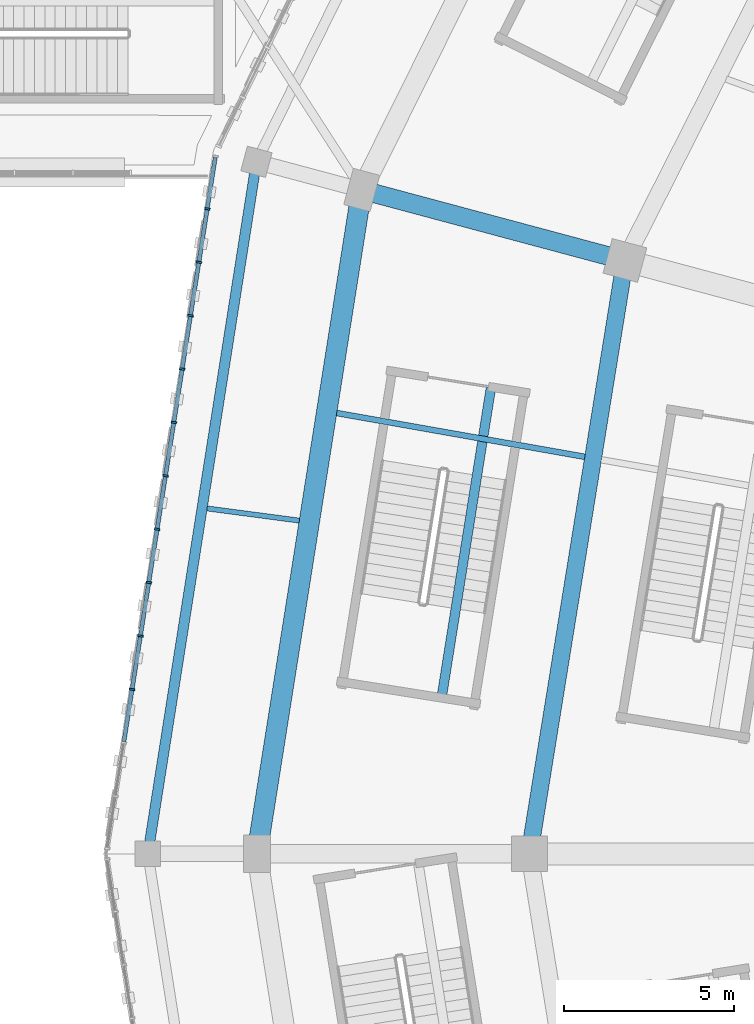
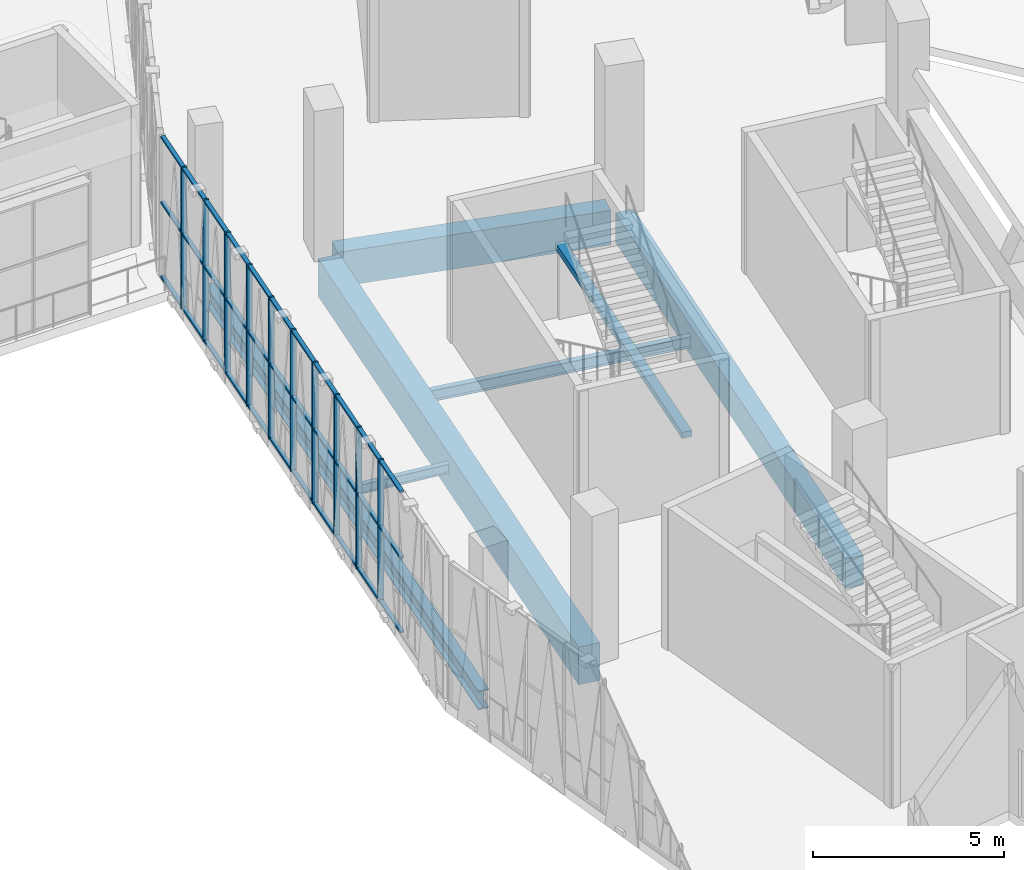
# One storey, part 22 of 183: 43 members, 7 beams, 1 element without a shape of its own.
"""IFC4 building model written with IfcOpenShell, lengths in metres."""

from ifc_helpers import new_model, si_unit, direction, frame, origin, origin_2d, place, context, subcontext, project, spatial, rectangle, i_section, extrude, material, material_profile, profile_set, type_object, element, aggregate, save


model = new_model("IFC4")

# Units and contexts
model_context = context("Model", 3, precision=1e-05, world=origin(), true_north=direction((0.0, 1.0)))
body_context = subcontext(model_context, "Body", "Model", "MODEL_VIEW")
ifc_project = project(units=[si_unit("LENGTHUNIT", "METRE"), si_unit("AREAUNIT", "SQUARE_METRE"), si_unit("VOLUMEUNIT", "CUBIC_METRE"), si_unit("PLANEANGLEUNIT", "RADIAN"), si_unit("MASSUNIT", "GRAM", prefix="KILO")], contexts=[model_context])

# Site, building, storey
site_placement = place(None, origin())
site = spatial("IfcSite", under=ifc_project, at=site_placement, CompositionType="ELEMENT")
building_placement = place(site_placement, origin())
building = spatial("IfcBuilding", under=site, at=building_placement, Name="Zevraka Park Crest Stadium", CompositionType="ELEMENT")
storey_placement = place(building_placement, frame((0.0, 0.0, 5.39990234375)))
storey = spatial("IfcBuildingStorey", under=building, at=storey_placement, Name="L01", CompositionType="ELEMENT", Elevation=5.39990234375)

# Beam
ifc_material_1 = material(Name="Concrete C40/50", Category="concrete")
ifc_material_profile_1 = material_profile(ifc_material_1, rectangle(XDim=0.550048828125, YDim=1.10009765625, at=origin_2d()), Name="RC 1100x550")
ifc_profile_set_1 = profile_set([ifc_material_profile_1], Name="Concrete C40/50")
beam_type_1 = type_object("IfcBeamType", Name="BG02", PredefinedType="BEAM", material=ifc_profile_set_1)
beam_1_placement = place(storey_placement, frame((32.214111328125, 109.4970703125, -0.559814453125), z_axis=(-0.965968812251, 0.258658565986, 0.0), x_axis=(-0.258658565986, -0.965968812251, 0.0)))
element("IfcBeam", 1, at=beam_1_placement, inside=storey, type_object=beam_type_1, Name="Radial Girder BG02 L01-CD-11", PredefinedType="BEAM", context=body_context, shape_type="SweptSolid", body=[
    extrude(rectangle(XDim=0.550048828125, YDim=1.10009765625, at=origin_2d()), origin(), (0.0, 0.0, 1.0), 7.39892578125),
])

# Curtain wall, members
ifc_material_2 = material(Name="Anodised architectural aluminium and laminated safety glass", Category="aluminium")
curtain_wall_type = type_object("IfcCurtainWallType", Name="CW01", PredefinedType="NOTDEFINED", material=ifc_material_2)
curtain_wall_placement = place(storey_placement, origin())
curtain_wall = element("IfcCurtainWall", 2, at=curtain_wall_placement, inside=storey, type_object=curtain_wall_type, Name="Unitised Ring Curtain Wall CW01 L01-11", PredefinedType="NOTDEFINED")
ifc_material_3 = material(Name="Anodised architectural aluminium", Category="aluminium")
ifc_material_profile_2 = material_profile(ifc_material_3, rectangle(XDim=0.159912109375, YDim=0.06005859375, at=origin_2d()), Name="ALU MULLION 160x60")
ifc_profile_set_2 = profile_set([ifc_material_profile_2], Name="Anodised architectural aluminium")
member_type_1 = type_object("IfcMemberType", Name="CM01", PredefinedType="MULLION", material=ifc_profile_set_2)
member_1_placement = place(storey_placement, frame((20.241943359375, 110.935546875, 0.0), z_axis=(0.0, 0.0, 1.0), x_axis=(0.987996544735, -0.154475977394, 0.0)))
member_1 = element("IfcMember", 3, at=member_1_placement, type_object=member_type_1, Name="CW01 mullion 2", PredefinedType="MULLION", context=body_context, shape_type="SweptSolid", body=[
    extrude(rectangle(XDim=0.159912109375, YDim=0.06005859375, at=origin_2d()), origin(), (0.0, 0.0, 1.0), 4.52001953125),
])
member_2_placement = place(storey_placement, frame((19.996826171875, 109.3681640625, 0.0), z_axis=(0.0, 0.0, 1.0), x_axis=(0.987996544735, -0.154475977394, 0.0)))
member_2 = element("IfcMember", 4, at=member_2_placement, type_object=member_type_1, Name="CW01 mullion 3", PredefinedType="MULLION", context=body_context, shape_type="SweptSolid", body=[
    extrude(rectangle(XDim=0.159912109375, YDim=0.06005859375, at=origin_2d()), origin(), (0.0, 0.0, 1.0), 4.52001953125),
])
member_3_placement = place(storey_placement, frame((19.751708984375, 107.800537109375, 0.0), z_axis=(0.0, 0.0, 1.0), x_axis=(0.987996544735, -0.154475977394, 0.0)))
member_3 = element("IfcMember", 5, at=member_3_placement, type_object=member_type_1, Name="CW01 mullion 4", PredefinedType="MULLION", context=body_context, shape_type="SweptSolid", body=[
    extrude(rectangle(XDim=0.159912109375, YDim=0.06005859375, at=origin_2d()), origin(), (0.0, 0.0, 1.0), 4.52001953125),
])
member_4_placement = place(storey_placement, frame((19.506591796875, 106.233154296875, 0.0), z_axis=(0.0, 0.0, 1.0), x_axis=(0.987996544735, -0.154475977394, 0.0)))
member_4 = element("IfcMember", 6, at=member_4_placement, type_object=member_type_1, Name="CW01 mullion 5", PredefinedType="MULLION", context=body_context, shape_type="SweptSolid", body=[
    extrude(rectangle(XDim=0.159912109375, YDim=0.06005859375, at=origin_2d()), origin(), (0.0, 0.0, 1.0), 4.52001953125),
])
member_5_placement = place(storey_placement, frame((19.26171875, 104.665771484375, 0.0), z_axis=(0.0, 0.0, 1.0), x_axis=(0.987996544735, -0.154475977394, 0.0)))
member_5 = element("IfcMember", 7, at=member_5_placement, type_object=member_type_1, Name="CW01 mullion 6", PredefinedType="MULLION", context=body_context, shape_type="SweptSolid", body=[
    extrude(rectangle(XDim=0.159912109375, YDim=0.06005859375, at=origin_2d()), origin(), (0.0, 0.0, 1.0), 4.52001953125),
])
member_6_placement = place(storey_placement, frame((19.0166015625, 103.09814453125, 0.0), z_axis=(0.0, 0.0, 1.0), x_axis=(0.987996544735, -0.154475977394, 0.0)))
member_6 = element("IfcMember", 8, at=member_6_placement, type_object=member_type_1, Name="CW01 mullion 7", PredefinedType="MULLION", context=body_context, shape_type="SweptSolid", body=[
    extrude(rectangle(XDim=0.159912109375, YDim=0.06005859375, at=origin_2d()), origin(), (0.0, 0.0, 1.0), 4.52001953125),
])
member_7_placement = place(storey_placement, frame((18.771484375, 101.53076171875, 0.0), z_axis=(0.0, 0.0, 1.0), x_axis=(0.987996544735, -0.154475977394, 0.0)))
member_7 = element("IfcMember", 9, at=member_7_placement, type_object=member_type_1, Name="CW01 mullion 8", PredefinedType="MULLION", context=body_context, shape_type="SweptSolid", body=[
    extrude(rectangle(XDim=0.159912109375, YDim=0.06005859375, at=origin_2d()), origin(), (0.0, 0.0, 1.0), 4.52001953125),
])
member_8_placement = place(storey_placement, frame((18.5263671875, 99.96337890625, 0.0), z_axis=(0.0, 0.0, 1.0), x_axis=(0.987996544735, -0.154475977394, 0.0)))
member_8 = element("IfcMember", 10, at=member_8_placement, type_object=member_type_1, Name="CW01 mullion 9", PredefinedType="MULLION", context=body_context, shape_type="SweptSolid", body=[
    extrude(rectangle(XDim=0.159912109375, YDim=0.06005859375, at=origin_2d()), origin(), (0.0, 0.0, 1.0), 4.52001953125),
])
member_9_placement = place(storey_placement, frame((18.28125, 98.395751953125, 0.0), z_axis=(0.0, 0.0, 1.0), x_axis=(0.987996544735, -0.154475977394, 0.0)))
member_9 = element("IfcMember", 11, at=member_9_placement, type_object=member_type_1, Name="CW01 mullion 10", PredefinedType="MULLION", context=body_context, shape_type="SweptSolid", body=[
    extrude(rectangle(XDim=0.159912109375, YDim=0.06005859375, at=origin_2d()), origin(), (0.0, 0.0, 1.0), 4.52001953125),
])
member_10_placement = place(storey_placement, frame((18.0361328125, 96.828369140625, 0.0), z_axis=(0.0, 0.0, 1.0), x_axis=(0.987996544735, -0.154475977394, 0.0)))
member_10 = element("IfcMember", 12, at=member_10_placement, type_object=member_type_1, Name="CW01 mullion 11", PredefinedType="MULLION", context=body_context, shape_type="SweptSolid", body=[
    extrude(rectangle(XDim=0.159912109375, YDim=0.06005859375, at=origin_2d()), origin(), (0.0, 0.0, 1.0), 4.52001953125),
])
ifc_material_4 = material(Name="Anodised architectural aluminium", Category="aluminium")
ifc_material_profile_3 = material_profile(ifc_material_4, rectangle(XDim=0.1201171875, YDim=0.06005859375, at=origin_2d()), Name="ALU TRANSOM 120x60")
ifc_profile_set_3 = profile_set([ifc_material_profile_3], Name="Anodised architectural aluminium")
member_type_2 = type_object("IfcMemberType", Name="CT01", PredefinedType="USERDEFINED", material=ifc_profile_set_3)
member_11_placement = place(storey_placement, frame((20.477783203125, 112.443603515625, 0.030029296875), z_axis=(-0.154496320273, -0.987993363855, 0.0), x_axis=(0.987993363855, -0.154496320273, 0.0)))
member_11 = element("IfcMember", 13, at=member_11_placement, type_object=member_type_2, Name="CW01 transom 1.1", ObjectType="TRANSOM", PredefinedType="USERDEFINED", context=body_context, shape_type="SweptSolid", body=[
    extrude(rectangle(XDim=0.1201171875, YDim=0.06005859375, at=origin_2d()), origin(), (0.0, 0.0, 1.0), 1.49658203125),
])
member_12_placement = place(storey_placement, frame((20.477783203125, 112.443603515625, 2.400146484375), z_axis=(-0.154496320273, -0.987993363855, 0.0), x_axis=(0.987993363855, -0.154496320273, 0.0)))
member_12 = element("IfcMember", 14, at=member_12_placement, type_object=member_type_2, Name="CW01 transom 1.2", ObjectType="TRANSOM", PredefinedType="USERDEFINED", context=body_context, shape_type="SweptSolid", body=[
    extrude(rectangle(XDim=0.1201171875, YDim=0.06005859375, at=origin_2d()), origin(), (0.0, 0.0, 1.0), 1.49658203125),
])
member_13_placement = place(storey_placement, frame((20.477783203125, 112.443603515625, 4.489990234375), z_axis=(-0.154496320273, -0.987993363855, 0.0), x_axis=(0.987993363855, -0.154496320273, 0.0)))
member_13 = element("IfcMember", 15, at=member_13_placement, type_object=member_type_2, Name="CW01 transom 1.3", ObjectType="TRANSOM", PredefinedType="USERDEFINED", context=body_context, shape_type="SweptSolid", body=[
    extrude(rectangle(XDim=0.1201171875, YDim=0.06005859375, at=origin_2d()), origin(), (0.0, 0.0, 1.0), 1.49658203125),
])
member_14_placement = place(storey_placement, frame((20.2373046875, 110.906005859375, 0.030029296875), z_axis=(-0.154484205161, -0.987995258266, 0.0), x_axis=(0.987995258266, -0.154484205161, 0.0)))
member_14 = element("IfcMember", 16, at=member_14_placement, type_object=member_type_2, Name="CW01 transom 2.1", ObjectType="TRANSOM", PredefinedType="USERDEFINED", context=body_context, shape_type="SweptSolid", body=[
    extrude(rectangle(XDim=0.1201171875, YDim=0.06005859375, at=origin_2d()), origin(), (0.0, 0.0, 1.0), 1.526611328125),
])
member_15_placement = place(storey_placement, frame((20.2373046875, 110.906005859375, 2.400146484375), z_axis=(-0.154484205161, -0.987995258266, 0.0), x_axis=(0.987995258266, -0.154484205161, 0.0)))
member_15 = element("IfcMember", 17, at=member_15_placement, type_object=member_type_2, Name="CW01 transom 2.2", ObjectType="TRANSOM", PredefinedType="USERDEFINED", context=body_context, shape_type="SweptSolid", body=[
    extrude(rectangle(XDim=0.1201171875, YDim=0.06005859375, at=origin_2d()), origin(), (0.0, 0.0, 1.0), 1.526611328125),
])
member_16_placement = place(storey_placement, frame((20.2373046875, 110.906005859375, 4.489990234375), z_axis=(-0.154484205161, -0.987995258266, 0.0), x_axis=(0.987995258266, -0.154484205161, 0.0)))
member_16 = element("IfcMember", 18, at=member_16_placement, type_object=member_type_2, Name="CW01 transom 2.3", ObjectType="TRANSOM", PredefinedType="USERDEFINED", context=body_context, shape_type="SweptSolid", body=[
    extrude(rectangle(XDim=0.1201171875, YDim=0.06005859375, at=origin_2d()), origin(), (0.0, 0.0, 1.0), 1.526611328125),
])
member_17_placement = place(storey_placement, frame((19.9921875, 109.33837890625, 0.030029296875), z_axis=(-0.154508617741, -0.987991440774, 0.0), x_axis=(0.987991440774, -0.154508617741, 0.0)))
member_17 = element("IfcMember", 19, at=member_17_placement, type_object=member_type_2, Name="CW01 transom 3.1", ObjectType="TRANSOM", PredefinedType="USERDEFINED", context=body_context, shape_type="SweptSolid", body=[
    extrude(rectangle(XDim=0.1201171875, YDim=0.06005859375, at=origin_2d()), origin(), (0.0, 0.0, 1.0), 1.5263671875),
])
member_18_placement = place(storey_placement, frame((19.9921875, 109.33837890625, 2.400146484375), z_axis=(-0.154508617741, -0.987991440774, 0.0), x_axis=(0.987991440774, -0.154508617741, 0.0)))
member_18 = element("IfcMember", 20, at=member_18_placement, type_object=member_type_2, Name="CW01 transom 3.2", ObjectType="TRANSOM", PredefinedType="USERDEFINED", context=body_context, shape_type="SweptSolid", body=[
    extrude(rectangle(XDim=0.1201171875, YDim=0.06005859375, at=origin_2d()), origin(), (0.0, 0.0, 1.0), 1.5263671875),
])
member_19_placement = place(storey_placement, frame((19.9921875, 109.33837890625, 4.489990234375), z_axis=(-0.154508617741, -0.987991440774, 0.0), x_axis=(0.987991440774, -0.154508617741, 0.0)))
member_19 = element("IfcMember", 21, at=member_19_placement, type_object=member_type_2, Name="CW01 transom 3.3", ObjectType="TRANSOM", PredefinedType="USERDEFINED", context=body_context, shape_type="SweptSolid", body=[
    extrude(rectangle(XDim=0.1201171875, YDim=0.06005859375, at=origin_2d()), origin(), (0.0, 0.0, 1.0), 1.5263671875),
])
member_20_placement = place(storey_placement, frame((19.7470703125, 107.77099609375, 0.030029296875), z_axis=(-0.154484205161, -0.987995258266, 0.0), x_axis=(0.987995258266, -0.154484205161, 0.0)))
member_20 = element("IfcMember", 22, at=member_20_placement, type_object=member_type_2, Name="CW01 transom 4.1", ObjectType="TRANSOM", PredefinedType="USERDEFINED", context=body_context, shape_type="SweptSolid", body=[
    extrude(rectangle(XDim=0.1201171875, YDim=0.06005859375, at=origin_2d()), origin(), (0.0, 0.0, 1.0), 1.526611328125),
])
member_21_placement = place(storey_placement, frame((19.7470703125, 107.77099609375, 2.400146484375), z_axis=(-0.154484205161, -0.987995258266, 0.0), x_axis=(0.987995258266, -0.154484205161, 0.0)))
member_21 = element("IfcMember", 23, at=member_21_placement, type_object=member_type_2, Name="CW01 transom 4.2", ObjectType="TRANSOM", PredefinedType="USERDEFINED", context=body_context, shape_type="SweptSolid", body=[
    extrude(rectangle(XDim=0.1201171875, YDim=0.06005859375, at=origin_2d()), origin(), (0.0, 0.0, 1.0), 1.526611328125),
])
member_22_placement = place(storey_placement, frame((19.7470703125, 107.77099609375, 4.489990234375), z_axis=(-0.154484205161, -0.987995258266, 0.0), x_axis=(0.987995258266, -0.154484205161, 0.0)))
member_22 = element("IfcMember", 24, at=member_22_placement, type_object=member_type_2, Name="CW01 transom 4.3", ObjectType="TRANSOM", PredefinedType="USERDEFINED", context=body_context, shape_type="SweptSolid", body=[
    extrude(rectangle(XDim=0.1201171875, YDim=0.06005859375, at=origin_2d()), origin(), (0.0, 0.0, 1.0), 1.526611328125),
])
member_23_placement = place(storey_placement, frame((19.501953125, 106.20361328125, 0.030029296875), z_axis=(-0.154328094427, -0.988019655306, 0.0), x_axis=(0.988019655306, -0.154328094427, 0.0)))
member_23 = element("IfcMember", 25, at=member_23_placement, type_object=member_type_2, Name="CW01 transom 5.1", ObjectType="TRANSOM", PredefinedType="USERDEFINED", context=body_context, shape_type="SweptSolid", body=[
    extrude(rectangle(XDim=0.1201171875, YDim=0.06005859375, at=origin_2d()), origin(), (0.0, 0.0, 1.0), 1.526611328125),
])
member_24_placement = place(storey_placement, frame((19.501953125, 106.20361328125, 2.400146484375), z_axis=(-0.154328094427, -0.988019655306, 0.0), x_axis=(0.988019655306, -0.154328094427, 0.0)))
member_24 = element("IfcMember", 26, at=member_24_placement, type_object=member_type_2, Name="CW01 transom 5.2", ObjectType="TRANSOM", PredefinedType="USERDEFINED", context=body_context, shape_type="SweptSolid", body=[
    extrude(rectangle(XDim=0.1201171875, YDim=0.06005859375, at=origin_2d()), origin(), (0.0, 0.0, 1.0), 1.526611328125),
])
member_25_placement = place(storey_placement, frame((19.501953125, 106.20361328125, 4.489990234375), z_axis=(-0.154328094427, -0.988019655306, 0.0), x_axis=(0.988019655306, -0.154328094427, 0.0)))
member_25 = element("IfcMember", 27, at=member_25_placement, type_object=member_type_2, Name="CW01 transom 5.3", ObjectType="TRANSOM", PredefinedType="USERDEFINED", context=body_context, shape_type="SweptSolid", body=[
    extrude(rectangle(XDim=0.1201171875, YDim=0.06005859375, at=origin_2d()), origin(), (0.0, 0.0, 1.0), 1.526611328125),
])
member_26_placement = place(storey_placement, frame((19.257080078125, 104.635986328125, 0.030029296875), z_axis=(-0.154508617741, -0.987991440774, 0.0), x_axis=(0.987991440774, -0.154508617741, 0.0)))
member_26 = element("IfcMember", 28, at=member_26_placement, type_object=member_type_2, Name="CW01 transom 6.1", ObjectType="TRANSOM", PredefinedType="USERDEFINED", context=body_context, shape_type="SweptSolid", body=[
    extrude(rectangle(XDim=0.1201171875, YDim=0.06005859375, at=origin_2d()), origin(), (0.0, 0.0, 1.0), 1.5263671875),
])
member_27_placement = place(storey_placement, frame((19.257080078125, 104.635986328125, 2.400146484375), z_axis=(-0.154508617741, -0.987991440774, 0.0), x_axis=(0.987991440774, -0.154508617741, 0.0)))
member_27 = element("IfcMember", 29, at=member_27_placement, type_object=member_type_2, Name="CW01 transom 6.2", ObjectType="TRANSOM", PredefinedType="USERDEFINED", context=body_context, shape_type="SweptSolid", body=[
    extrude(rectangle(XDim=0.1201171875, YDim=0.06005859375, at=origin_2d()), origin(), (0.0, 0.0, 1.0), 1.5263671875),
])
member_28_placement = place(storey_placement, frame((19.257080078125, 104.635986328125, 4.489990234375), z_axis=(-0.154508617741, -0.987991440774, 0.0), x_axis=(0.987991440774, -0.154508617741, 0.0)))
member_28 = element("IfcMember", 30, at=member_28_placement, type_object=member_type_2, Name="CW01 transom 6.3", ObjectType="TRANSOM", PredefinedType="USERDEFINED", context=body_context, shape_type="SweptSolid", body=[
    extrude(rectangle(XDim=0.1201171875, YDim=0.06005859375, at=origin_2d()), origin(), (0.0, 0.0, 1.0), 1.5263671875),
])
member_29_placement = place(storey_placement, frame((19.011962890625, 103.068603515625, 0.030029296875), z_axis=(-0.154484205161, -0.987995258266, 0.0), x_axis=(0.987995258266, -0.154484205161, 0.0)))
member_29 = element("IfcMember", 31, at=member_29_placement, type_object=member_type_2, Name="CW01 transom 7.1", ObjectType="TRANSOM", PredefinedType="USERDEFINED", context=body_context, shape_type="SweptSolid", body=[
    extrude(rectangle(XDim=0.1201171875, YDim=0.06005859375, at=origin_2d()), origin(), (0.0, 0.0, 1.0), 1.526611328125),
])
member_30_placement = place(storey_placement, frame((19.011962890625, 103.068603515625, 2.400146484375), z_axis=(-0.154484205161, -0.987995258266, 0.0), x_axis=(0.987995258266, -0.154484205161, 0.0)))
member_30 = element("IfcMember", 32, at=member_30_placement, type_object=member_type_2, Name="CW01 transom 7.2", ObjectType="TRANSOM", PredefinedType="USERDEFINED", context=body_context, shape_type="SweptSolid", body=[
    extrude(rectangle(XDim=0.1201171875, YDim=0.06005859375, at=origin_2d()), origin(), (0.0, 0.0, 1.0), 1.526611328125),
])
member_31_placement = place(storey_placement, frame((19.011962890625, 103.068603515625, 4.489990234375), z_axis=(-0.154484205161, -0.987995258266, 0.0), x_axis=(0.987995258266, -0.154484205161, 0.0)))
member_31 = element("IfcMember", 33, at=member_31_placement, type_object=member_type_2, Name="CW01 transom 7.3", ObjectType="TRANSOM", PredefinedType="USERDEFINED", context=body_context, shape_type="SweptSolid", body=[
    extrude(rectangle(XDim=0.1201171875, YDim=0.06005859375, at=origin_2d()), origin(), (0.0, 0.0, 1.0), 1.526611328125),
])
member_32_placement = place(storey_placement, frame((18.766845703125, 101.501220703125, 0.030029296875), z_axis=(-0.154484205161, -0.987995258266, 0.0), x_axis=(0.987995258266, -0.154484205161, 0.0)))
member_32 = element("IfcMember", 34, at=member_32_placement, type_object=member_type_2, Name="CW01 transom 8.1", ObjectType="TRANSOM", PredefinedType="USERDEFINED", context=body_context, shape_type="SweptSolid", body=[
    extrude(rectangle(XDim=0.1201171875, YDim=0.06005859375, at=origin_2d()), origin(), (0.0, 0.0, 1.0), 1.526611328125),
])
member_33_placement = place(storey_placement, frame((18.766845703125, 101.501220703125, 2.400146484375), z_axis=(-0.154484205161, -0.987995258266, 0.0), x_axis=(0.987995258266, -0.154484205161, 0.0)))
member_33 = element("IfcMember", 35, at=member_33_placement, type_object=member_type_2, Name="CW01 transom 8.2", ObjectType="TRANSOM", PredefinedType="USERDEFINED", context=body_context, shape_type="SweptSolid", body=[
    extrude(rectangle(XDim=0.1201171875, YDim=0.06005859375, at=origin_2d()), origin(), (0.0, 0.0, 1.0), 1.526611328125),
])
member_34_placement = place(storey_placement, frame((18.766845703125, 101.501220703125, 4.489990234375), z_axis=(-0.154484205161, -0.987995258266, 0.0), x_axis=(0.987995258266, -0.154484205161, 0.0)))
member_34 = element("IfcMember", 36, at=member_34_placement, type_object=member_type_2, Name="CW01 transom 8.3", ObjectType="TRANSOM", PredefinedType="USERDEFINED", context=body_context, shape_type="SweptSolid", body=[
    extrude(rectangle(XDim=0.1201171875, YDim=0.06005859375, at=origin_2d()), origin(), (0.0, 0.0, 1.0), 1.526611328125),
])
member_35_placement = place(storey_placement, frame((18.521728515625, 99.93359375, 0.030029296875), z_axis=(-0.154508617741, -0.987991440774, 0.0), x_axis=(0.987991440774, -0.154508617741, 0.0)))
member_35 = element("IfcMember", 37, at=member_35_placement, type_object=member_type_2, Name="CW01 transom 9.1", ObjectType="TRANSOM", PredefinedType="USERDEFINED", context=body_context, shape_type="SweptSolid", body=[
    extrude(rectangle(XDim=0.1201171875, YDim=0.06005859375, at=origin_2d()), origin(), (0.0, 0.0, 1.0), 1.5263671875),
])
member_36_placement = place(storey_placement, frame((18.521728515625, 99.93359375, 2.400146484375), z_axis=(-0.154508617741, -0.987991440774, 0.0), x_axis=(0.987991440774, -0.154508617741, 0.0)))
member_36 = element("IfcMember", 38, at=member_36_placement, type_object=member_type_2, Name="CW01 transom 9.2", ObjectType="TRANSOM", PredefinedType="USERDEFINED", context=body_context, shape_type="SweptSolid", body=[
    extrude(rectangle(XDim=0.1201171875, YDim=0.06005859375, at=origin_2d()), origin(), (0.0, 0.0, 1.0), 1.5263671875),
])
member_37_placement = place(storey_placement, frame((18.521728515625, 99.93359375, 4.489990234375), z_axis=(-0.154508617741, -0.987991440774, 0.0), x_axis=(0.987991440774, -0.154508617741, 0.0)))
member_37 = element("IfcMember", 39, at=member_37_placement, type_object=member_type_2, Name="CW01 transom 9.3", ObjectType="TRANSOM", PredefinedType="USERDEFINED", context=body_context, shape_type="SweptSolid", body=[
    extrude(rectangle(XDim=0.1201171875, YDim=0.06005859375, at=origin_2d()), origin(), (0.0, 0.0, 1.0), 1.5263671875),
])
member_38_placement = place(storey_placement, frame((18.276611328125, 98.3662109375, 0.030029296875), z_axis=(-0.154484205161, -0.987995258266, 0.0), x_axis=(0.987995258266, -0.154484205161, 0.0)))
member_38 = element("IfcMember", 40, at=member_38_placement, type_object=member_type_2, Name="CW01 transom 10.1", ObjectType="TRANSOM", PredefinedType="USERDEFINED", context=body_context, shape_type="SweptSolid", body=[
    extrude(rectangle(XDim=0.1201171875, YDim=0.06005859375, at=origin_2d()), origin(), (0.0, 0.0, 1.0), 1.526611328125),
])
member_39_placement = place(storey_placement, frame((18.276611328125, 98.3662109375, 2.400146484375), z_axis=(-0.154484205161, -0.987995258266, 0.0), x_axis=(0.987995258266, -0.154484205161, 0.0)))
member_39 = element("IfcMember", 41, at=member_39_placement, type_object=member_type_2, Name="CW01 transom 10.2", ObjectType="TRANSOM", PredefinedType="USERDEFINED", context=body_context, shape_type="SweptSolid", body=[
    extrude(rectangle(XDim=0.1201171875, YDim=0.06005859375, at=origin_2d()), origin(), (0.0, 0.0, 1.0), 1.526611328125),
])
member_40_placement = place(storey_placement, frame((18.276611328125, 98.3662109375, 4.489990234375), z_axis=(-0.154484205161, -0.987995258266, 0.0), x_axis=(0.987995258266, -0.154484205161, 0.0)))
member_40 = element("IfcMember", 42, at=member_40_placement, type_object=member_type_2, Name="CW01 transom 10.3", ObjectType="TRANSOM", PredefinedType="USERDEFINED", context=body_context, shape_type="SweptSolid", body=[
    extrude(rectangle(XDim=0.1201171875, YDim=0.06005859375, at=origin_2d()), origin(), (0.0, 0.0, 1.0), 1.526611328125),
])
member_41_placement = place(storey_placement, frame((18.031494140625, 96.798828125, 0.030029296875), z_axis=(-0.154328094427, -0.988019655306, 0.0), x_axis=(0.988019655306, -0.154328094427, 0.0)))
member_41 = element("IfcMember", 43, at=member_41_placement, type_object=member_type_2, Name="CW01 transom 11.1", ObjectType="TRANSOM", PredefinedType="USERDEFINED", context=body_context, shape_type="SweptSolid", body=[
    extrude(rectangle(XDim=0.1201171875, YDim=0.06005859375, at=origin_2d()), origin(), (0.0, 0.0, 1.0), 1.526611328125),
])
member_42_placement = place(storey_placement, frame((18.031494140625, 96.798828125, 2.400146484375), z_axis=(-0.154328094427, -0.988019655306, 0.0), x_axis=(0.988019655306, -0.154328094427, 0.0)))
member_42 = element("IfcMember", 44, at=member_42_placement, type_object=member_type_2, Name="CW01 transom 11.2", ObjectType="TRANSOM", PredefinedType="USERDEFINED", context=body_context, shape_type="SweptSolid", body=[
    extrude(rectangle(XDim=0.1201171875, YDim=0.06005859375, at=origin_2d()), origin(), (0.0, 0.0, 1.0), 1.526611328125),
])
member_43_placement = place(storey_placement, frame((18.031494140625, 96.798828125, 4.489990234375), z_axis=(-0.154328094427, -0.988019655306, 0.0), x_axis=(0.988019655306, -0.154328094427, 0.0)))
member_43 = element("IfcMember", 45, at=member_43_placement, type_object=member_type_2, Name="CW01 transom 11.3", ObjectType="TRANSOM", PredefinedType="USERDEFINED", context=body_context, shape_type="SweptSolid", body=[
    extrude(rectangle(XDim=0.1201171875, YDim=0.06005859375, at=origin_2d()), origin(), (0.0, 0.0, 1.0), 1.526611328125),
])
aggregate(curtain_wall, [member_1, member_2, member_3, member_4, member_5, member_6, member_7, member_8, member_9, member_10, member_11, member_12, member_13, member_14, member_15, member_16, member_17, member_18, member_19, member_20, member_21, member_22, member_23, member_24, member_25, member_26, member_27, member_28, member_29, member_30, member_31, member_32, member_33, member_34, member_35, member_36, member_37, member_38, member_39, member_40, member_41, member_42, member_43])

# Beams
ifc_material_5 = material(Name="Concrete C40/50", Category="concrete")
ifc_material_profile_4 = material_profile(ifc_material_5, rectangle(XDim=0.60009765625, YDim=1.199951171875, at=origin_2d()), Name="RC 1200x600")
ifc_profile_set_4 = profile_set([ifc_material_profile_4], Name="Concrete C40/50")
beam_type_2 = type_object("IfcBeamType", Name="RB01", PredefinedType="BEAM", material=ifc_profile_set_4)
beam_2_placement = place(storey_placement, frame((24.718017578125, 111.114013671875, -0.60986328125), z_axis=(-0.155972486086, -0.987761400129, 0.0), x_axis=(0.987761400129, -0.155972486086, 0.0)))
element("IfcBeam", 46, at=beam_2_placement, inside=storey, type_object=beam_type_2, Name="Ring Beam RB01 L01-D-11", PredefinedType="BEAM", context=body_context, shape_type="SweptSolid", body=[
    extrude(rectangle(XDim=0.60009765625, YDim=1.199951171875, at=origin_2d()), origin(), (0.0, 0.0, 1.0), 18.97119140625),
])
ifc_material_6 = material(Name="Concrete C40/50", Category="concrete")
ifc_material_profile_5 = material_profile(ifc_material_6, rectangle(XDim=0.5, YDim=0.949951171875, at=origin_2d()), Name="RC 950x500")
ifc_profile_set_5 = profile_set([ifc_material_profile_5], Name="Concrete C40/50")
beam_type_3 = type_object("IfcBeamType", Name="RB02", PredefinedType="BEAM", material=ifc_profile_set_5)
beam_3_placement = place(storey_placement, frame((32.444091796875, 109.0439453125, -0.48486328125), z_axis=(-0.158975112778, -0.987282590507, 0.0), x_axis=(0.987282590507, -0.158975112778, 0.0)))
element("IfcBeam", 47, at=beam_3_placement, inside=storey, type_object=beam_type_3, Name="Ring Beam RB02 L01-C-11", PredefinedType="BEAM", context=body_context, shape_type="SweptSolid", body=[
    extrude(rectangle(XDim=0.5, YDim=0.949951171875, at=origin_2d()), origin(), (0.0, 0.0, 1.0), 16.883544921875),
])
ifc_material_7 = material(Name="Steel S355", Category="steel")
ifc_material_profile_6 = material_profile(ifc_material_7, i_section(OverallWidth=0.300048828125, OverallDepth=0.60009765625, WebThickness=0.015380859375, FlangeThickness=0.030029296875, at=origin_2d()), Name="HEB 600")
ifc_profile_set_6 = profile_set([ifc_material_profile_6], Name="Steel S355")
beam_type_4 = type_object("IfcBeamType", Name="RB03", PredefinedType="BEAM", material=ifc_profile_set_6)
beam_4_placement = place(storey_placement, frame((21.632080078125, 111.970947265625, -0.60498046875), z_axis=(-0.154952716421, -0.987921887435, 0.0), x_axis=(0.987921887435, -0.154952716421, 0.0)))
element("IfcBeam", 48, at=beam_4_placement, inside=storey, type_object=beam_type_4, Name="Ring Beam RB03 L01-E-11", PredefinedType="BEAM", context=body_context, shape_type="SweptSolid", body=[
    extrude(i_section(OverallWidth=0.300048828125, OverallDepth=0.60009765625, WebThickness=0.015380859375, FlangeThickness=0.030029296875, at=origin_2d()), origin(), (0.0, 0.0, 1.0), 19.864990234375),
])
ifc_material_8 = material(Name="Steel S355", Category="steel")
ifc_material_profile_7 = material_profile(ifc_material_8, i_section(OverallWidth=0.14990234375, OverallDepth=0.300048828125, WebThickness=0.007080078125, FlangeThickness=0.0107421875, at=origin_2d()), Name="IPE 300")
ifc_profile_set_7 = profile_set([ifc_material_profile_7], Name="Steel S355")
beam_type_5 = type_object("IfcBeamType", Name="SJ01", PredefinedType="JOIST", material=ifc_profile_set_7)
beam_5_placement = place(storey_placement, frame((22.946044921875, 101.782958984375, -0.4580078125), z_axis=(-0.991431166896, 0.130630169971, 0.0), x_axis=(-0.130630169971, -0.991431166896, 0.0)))
element("IfcBeam", 49, at=beam_5_placement, inside=storey, type_object=beam_type_5, Name="Floor Joist SJ01 L01-DE-11-1", PredefinedType="JOIST", context=body_context, shape_type="SweptSolid", body=[
    extrude(i_section(OverallWidth=0.14990234375, OverallDepth=0.300048828125, WebThickness=0.007080078125, FlangeThickness=0.0107421875, at=origin_2d()), origin(), (0.0, 0.0, 1.0), 2.732421875),
])
ifc_material_9 = material(Name="Steel S355", Category="steel")
ifc_material_profile_8 = material_profile(ifc_material_9, i_section(OverallWidth=0.169921875, OverallDepth=0.360107421875, WebThickness=0.008056640625, FlangeThickness=0.0126953125, at=origin_2d()), Name="IPE 360")
ifc_profile_set_8 = profile_set([ifc_material_profile_8], Name="Steel S355")
beam_type_6 = type_object("IfcBeamType", Name="SJ02", PredefinedType="JOIST", material=ifc_profile_set_8)
beam_6_placement = place(storey_placement, frame((31.327880859375, 103.655029296875, -0.48779296875), z_axis=(-0.984780236621, 0.17380415864, 0.0), x_axis=(-0.17380415864, -0.984780236621, 0.0)))
element("IfcBeam", 50, at=beam_6_placement, inside=storey, type_object=beam_type_6, Name="Floor Joist SJ02 L01-CD-11-1", PredefinedType="JOIST", context=body_context, shape_type="SweptSolid", body=[
    extrude(i_section(OverallWidth=0.169921875, OverallDepth=0.360107421875, WebThickness=0.008056640625, FlangeThickness=0.0126953125, at=origin_2d()), origin(), (0.0, 0.0, 1.0), 7.3984375),
])
ifc_material_10 = material(Name="Concrete C40/50", Category="concrete")
ifc_material_profile_9 = material_profile(ifc_material_10, rectangle(XDim=0.280029296875, YDim=0.199951171875, at=origin_2d()), Name="RC 200x280")
ifc_profile_set_9 = profile_set([ifc_material_profile_9], Name="Concrete C40/50")
beam_type_7 = type_object("IfcBeamType", Name="SJ13", PredefinedType="JOIST", material=ifc_profile_set_9)
beam_7_placement = place(storey_placement, frame((28.571044921875, 105.678955078125, 2.300048828125), z_axis=(-0.157255460575, -0.987557957853, 0.0), x_axis=(0.987557957853, -0.157255460575, 0.0)))
element("IfcBeam", 51, at=beam_7_placement, inside=storey, type_object=beam_type_7, Name="Stair Upper-Flight Longitudinal Stringer SJ13 ST12-L01", PredefinedType="JOIST", context=body_context, shape_type="SweptSolid", body=[
    extrude(rectangle(XDim=0.280029296875, YDim=0.199951171875, at=origin_2d()), origin(), (0.0, 0.0, 1.0), 9.249755859375),
])

save(model, "model.ifc")
